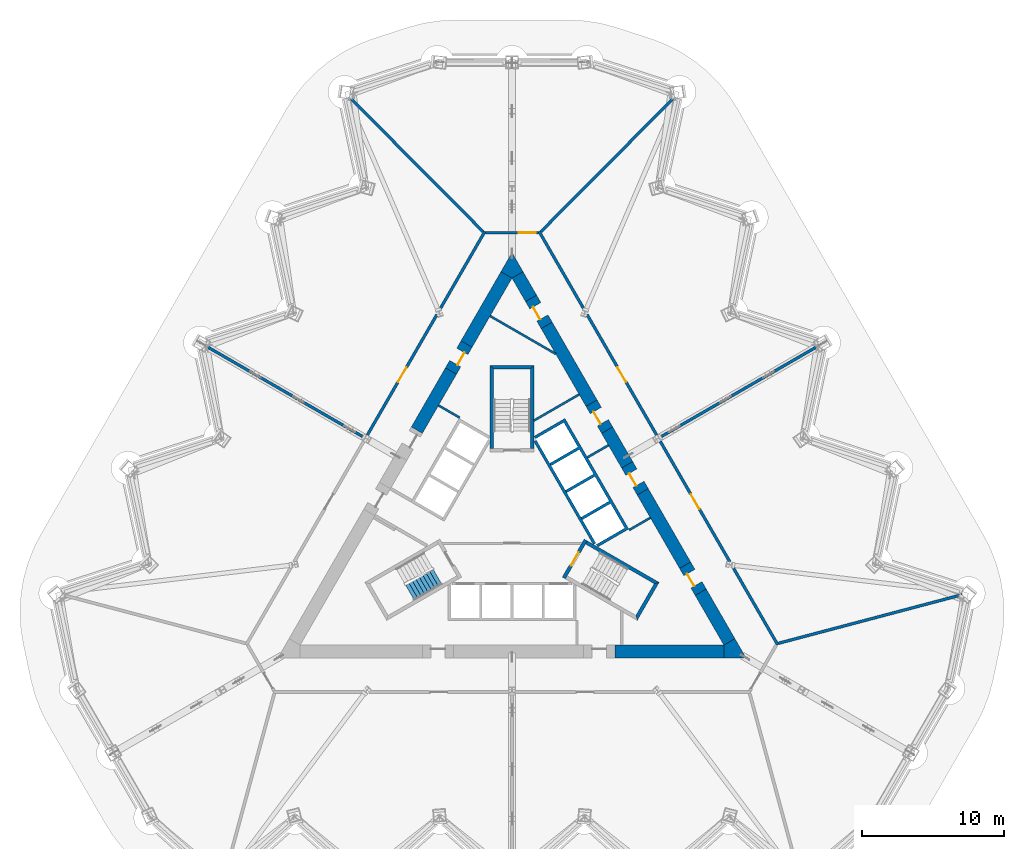
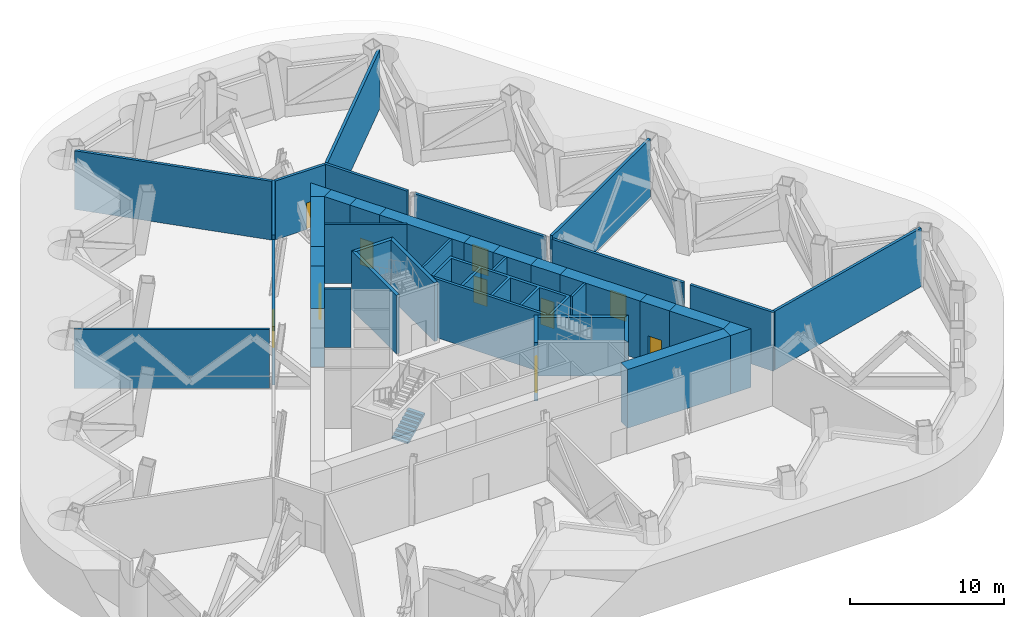
# One storey, part 6 of 13: 40 walls, 10 doors, 1 stair flight, 10 openings, 1 element without a shape of its own.
"""IFC4 building model written with IfcOpenShell, lengths in metres."""

from ifc_helpers import new_model, si_unit, direction, frame, frame_2d, origin, place, context, subcontext, project, spatial, polyline, rectangle, outline, extrude, material, layer, layer_set, type_object, element, fill, aggregate, save


model = new_model("IFC4")

# Units and contexts
model_context = context("Model", 3, precision=1e-05, world=origin(), true_north=direction((0.0, 1.0)))
body_context = subcontext(model_context, "Body", "Model", "MODEL_VIEW")
ifc_project = project(units=[si_unit("LENGTHUNIT", "METRE"), si_unit("AREAUNIT", "SQUARE_METRE"), si_unit("VOLUMEUNIT", "CUBIC_METRE"), si_unit("PLANEANGLEUNIT", "RADIAN"), si_unit("MASSUNIT", "GRAM", prefix="KILO")], contexts=[model_context])

# Site, building, storey
site_placement = place(None, origin())
site = spatial("IfcSite", under=ifc_project, at=site_placement, CompositionType="ELEMENT")
building_placement = place(site_placement, origin())
building = spatial("IfcBuilding", under=site, at=building_placement, Name="Cormorant Prow Tower", CompositionType="ELEMENT")
storey_placement = place(building_placement, frame((0.0, 0.0, 164.199951171875)))
storey = spatial("IfcBuildingStorey", under=building, at=storey_placement, Name="L34", CompositionType="ELEMENT", Elevation=164.199951171875)

# Walls
ifc_material_1 = material(Name="Gypsum board partition")
ifc_layer_1 = layer(ifc_material_1, 0.14990234375)
ifc_layer_set_1 = layer_set([ifc_layer_1], Name="Gypsum board partition")
wall_type_1 = type_object("IfcWallType", Name="Core partition 150", PredefinedType="PARTITIONING", material=ifc_layer_set_1)
for number, where, z_axis, x_axis, name in (
    (1, (-3.693359375, 7.4150390625, 0.0), (0.0, 0.0, 1.0), (-0.866024871741, 0.500000921525, 0.0), "Service room partition"),
    (2, (8.268310546875, -0.509033203125, 0.0), (0.0, 0.0, 1.0), (0.866024871741, 0.500000921525, 0.0), "Service room partition"),
    (3, (6.804443359375, 5.467041015625, 0.0), (0.0, 0.0, 1.0), (-0.865963414263, -0.500107353632, 0.0), "Service room partition"),
):
    element("IfcWall", number, at=place(storey_placement, frame(where, z_axis=z_axis, x_axis=x_axis)), inside=storey, type_object=wall_type_1, Name=name, PredefinedType="PARTITIONING", context=body_context, shape_type="SweptSolid", body=[
        extrude(rectangle(XDim=1.72021484375, YDim=0.14990234375, at=frame_2d((0.860107421875, 0.0))), origin(), (0.0, 0.0, 1.0), 4.650146484375),
    ])
wall_1_placement = place(storey_placement, frame((4.73681640625, 9.048095703125, 0.0), z_axis=(0.0, 0.0, 1.0), x_axis=(-0.866019514948, -0.500010199624, 0.0)))
element("IfcWall", 4, at=wall_1_placement, inside=storey, type_object=wall_type_1, Name="Service room partition", PredefinedType="PARTITIONING", context=body_context, shape_type="SweptSolid", body=[
    extrude(rectangle(XDim=3.69677734375, YDim=0.14990234375, at=frame_2d((1.848388671875, 0.0))), origin(), (0.0, 0.0, 1.0), 4.650146484375),
])
wall_2_placement = place(storey_placement, frame((-1.543701171875, 14.578857421875, 0.0), z_axis=(0.0, 0.0, 1.0), x_axis=(0.866040373927, -0.499974070055, 0.0)))
element("IfcWall", 5, at=wall_2_placement, inside=storey, type_object=wall_type_1, Name="Service room partition", PredefinedType="PARTITIONING", context=body_context, shape_type="SweptSolid", body=[
    extrude(rectangle(XDim=5.347412109375, YDim=0.14990234375, at=frame_2d((2.673828125, 0.0))), origin(), (0.0, 0.0, 1.0), 4.650146484375),
])
ifc_material_2 = material(Name="Concrete 8000 psi", Category="concrete")
ifc_layer_2 = layer(ifc_material_2, 0.89990234375)
ifc_layer_set_2 = layer_set([ifc_layer_2], Name="Concrete 8000 psi")
wall_type_2 = type_object("IfcWallType", Name="Core shear wall 900", PredefinedType="SHEAR", material=ifc_layer_set_2)
wall_3_placement = place(storey_placement, frame((7.256103515625, -9.076416015625, 0.0), z_axis=(0.0, 0.0, 1.0), x_axis=(1.0, 0.0, 0.0)))
element("IfcWall", 6, at=wall_3_placement, inside=storey, type_object=wall_type_2, Name="Core wall", PredefinedType="SHEAR", context=body_context, shape_type="SweptSolid", body=[
    extrude(rectangle(XDim=7.68505859375, YDim=0.89990234375, at=frame_2d((3.842529296875, 0.0))), origin(), (0.0, 0.0, 1.0), 4.650146484375),
])
wall_4_placement = place(storey_placement, frame((5.6103515625, 8.435302734375, 0.0), z_axis=(0.0, 0.0, 1.0), x_axis=(-0.500014073873, 0.866017278078, 0.0)))
element("IfcWall", 7, at=wall_4_placement, inside=storey, type_object=wall_type_2, Name="Core wall", PredefinedType="SHEAR", context=body_context, shape_type="SweptSolid", body=[
    extrude(rectangle(XDim=6.328857421875, YDim=0.89990234375, at=frame_2d((3.16455078125, 0.0))), origin(), (0.0, 0.0, 1.0), 4.650146484375),
])
wall_5_placement = place(storey_placement, frame((12.2080078125, -2.992431640625, 0.0), z_axis=(0.0, 0.0, 1.0), x_axis=(-0.499993658486, 0.866029065029, 0.0)))
element("IfcWall", 8, at=wall_5_placement, inside=storey, type_object=wall_type_2, Name="Core wall", PredefinedType="SHEAR", context=body_context, shape_type="SweptSolid", body=[
    extrude(rectangle(XDim=5.97412109375, YDim=0.89990234375, at=frame_2d((2.987060546875, 0.0))), origin(), (0.0, 0.0, 1.0), 4.650146484375),
])
wall_6_placement = place(storey_placement, frame((15.330810546875, -8.4013671875, 0.0), z_axis=(0.0, 0.0, 1.0), x_axis=(-0.499974938593, 0.866039872511, 0.0)))
element("IfcWall", 9, at=wall_6_placement, inside=storey, type_object=wall_type_2, Name="Core wall", PredefinedType="SHEAR", context=body_context, shape_type="SweptSolid", body=[
    extrude(rectangle(XDim=4.045654296875, YDim=0.89990234375, at=frame_2d((2.02294921875, 0.0))), origin(), (0.0, 0.0, 1.0), 4.650146484375),
])
wall_7_placement = place(storey_placement, frame((8.12109375, 4.086669921875, 0.0), z_axis=(0.0, 0.0, 1.0), x_axis=(-0.50009448556, 0.865970845648, 0.0)))
element("IfcWall", 10, at=wall_7_placement, inside=storey, type_object=wall_type_2, Name="Core wall", PredefinedType="SHEAR", context=body_context, shape_type="SweptSolid", body=[
    extrude(rectangle(XDim=2.8212890625, YDim=0.89990234375, at=frame_2d((1.41064453125, 0.0))), origin(), (0.0, 0.0, 1.0), 4.650146484375),
])
wall_8_placement = place(storey_placement, frame((1.345947265625, 15.821533203125, 0.0), z_axis=(0.0, 0.0, 1.0), x_axis=(-0.500079771016, 0.865979343068, 0.0)))
element("IfcWall", 11, at=wall_8_placement, inside=storey, type_object=wall_type_2, Name="Core wall", PredefinedType="SHEAR", context=body_context, shape_type="SweptSolid", body=[
    extrude(rectangle(XDim=1.912353515625, YDim=0.89990234375, at=frame_2d((0.9560546875, 0.0))), origin(), (0.0, 0.0, 1.0), 4.650146484375),
])
wall_9_placement = place(storey_placement, frame((-0.3896484375, 17.4775390625, 0.0), z_axis=(0.0, 0.0, 1.0), x_axis=(-0.500021672205, -0.86601289097, 0.0)))
element("IfcWall", 12, at=wall_9_placement, inside=storey, type_object=wall_type_2, Name="Core wall", PredefinedType="SHEAR", context=body_context, shape_type="SweptSolid", body=[
    extrude(rectangle(XDim=5.626708984375, YDim=0.89990234375, at=frame_2d((2.8134765625, 0.0))), origin(), (0.0, 0.0, 1.0), 4.650146484375),
])
wall_10_placement = place(storey_placement, frame((-4.302978515625, 10.699462890625, 0.0), z_axis=(0.0, 0.0, 1.0), x_axis=(-0.500000460299, -0.866025138031, 0.0)))
element("IfcWall", 13, at=wall_10_placement, inside=storey, type_object=wall_type_2, Name="Core wall", PredefinedType="SHEAR", context=body_context, shape_type="SweptSolid", body=[
    extrude(rectangle(XDim=4.814453125, YDim=0.89990234375, at=frame_2d((2.4072265625, 0.0))), origin(), (0.0, 0.0, 1.0), 4.650146484375),
])
wall_11_placement = place(storey_placement, origin())
element("IfcWall", 14, at=wall_11_placement, inside=storey, type_object=wall_type_2, Name="Core wall corner", PredefinedType="SHEAR", context=body_context, shape_type="SweptSolid", body=[
    extrude(outline(polyline([(-0.779296875, 17.70263671875), (0.0, 19.052490234375), (0.779296875, 17.70263671875), (0.0, 17.252685546875), (-0.779296875, 17.70263671875)])), origin(), (0.0, 0.0, 1.0), 4.650146484375),
])
wall_12_placement = place(storey_placement, origin())
element("IfcWall", 15, at=wall_12_placement, inside=storey, type_object=wall_type_2, Name="Core wall corner", PredefinedType="SHEAR", context=body_context, shape_type="SweptSolid", body=[
    extrude(outline(polyline([(14.941162109375, -8.626220703125), (15.720703125, -8.17626953125), (16.5, -9.5263671875), (14.941162109375, -9.5263671875), (14.941162109375, -8.626220703125)])), origin(), (0.0, 0.0, 1.0), 4.650146484375),
])

# Wall, opening, door
wall_13_placement = place(storey_placement, frame((13.30810546875, -4.897705078125, 0.0), z_axis=(0.0, 0.0, 1.0), x_axis=(-0.50002983664, 0.866008176907, 0.0)))
wall_13 = element("IfcWall", 16, at=wall_13_placement, inside=storey, type_object=wall_type_2, Name="Core wall door panel", PredefinedType="SHEAR", context=body_context, shape_type="SweptSolid", body=[
    extrude(rectangle(XDim=2.199951171875, YDim=0.89990234375, at=frame_2d((1.10009765625, 0.0))), origin(), (0.0, 0.0, 1.0), 4.650146484375),
])
opening_1_placement = place(wall_13_placement, frame((0.60009765625, 0.0, 0.0)))
opening_1 = element("IfcOpeningElement", 17, at=opening_1_placement, cuts=wall_13, Name="Opening L34-C10", PredefinedType="OPENING", context=body_context, shape_type="SweptSolid", body=[
    extrude(rectangle(XDim=1.0, YDim=2.10009765625, at=frame_2d((0.5, 1.050048828125))), frame((0.0, 0.4599609375, 0.0), z_axis=(0.0, -1.0, 0.0), x_axis=(1.0, 0.0, 0.0)), (0.0, 0.0, 1.0), 0.919921875),
])
ifc_material_3 = material(Name="Painted steel", Category="steel")
door_type_1 = type_object("IfcDoorType", Name="Service door 1000x2100", OperationType="NOTDEFINED", PredefinedType="DOOR", material=ifc_material_3)
door_1_placement = place(opening_1_placement, origin())
door_1 = element("IfcDoor", 18, at=door_1_placement, inside=storey, type_object=door_type_1, Name="Core door, Electrical switch room", OperationType="SINGLE_SWING_RIGHT", OverallHeight=2.10009765625, OverallWidth=1.0, PredefinedType="DOOR", context=body_context, shape_type="SweptSolid", body=[
    extrude(rectangle(XDim=1.0, YDim=2.10009765625, at=frame_2d((0.5, 1.050048828125))), frame((0.0, 0.205078125, 0.0), z_axis=(0.0, -1.0, 0.0), x_axis=(1.0, 0.0, 0.0)), (0.0, 0.0, 1.0), 0.050048828125),
])
fill(opening_1, door_1)

wall_14_placement = place(storey_placement, frame((9.220947265625, 2.181396484375, 0.0), z_axis=(0.0, 0.0, 1.0), x_axis=(-0.499946605688, 0.86605622881, 0.0)))
wall_14 = element("IfcWall", 19, at=wall_14_placement, inside=storey, type_object=wall_type_2, Name="Core wall door panel", PredefinedType="SHEAR", context=body_context, shape_type="SweptSolid", body=[
    extrude(rectangle(XDim=2.199951171875, YDim=0.89990234375, at=frame_2d((1.10009765625, 0.0))), origin(), (0.0, 0.0, 1.0), 4.650146484375),
])
opening_2_placement = place(wall_14_placement, frame((0.60009765625, 0.0, 0.0)))
opening_2 = element("IfcOpeningElement", 20, at=opening_2_placement, cuts=wall_14, Name="Opening L34-C11", PredefinedType="OPENING", context=body_context, shape_type="SweptSolid", body=[
    extrude(rectangle(XDim=1.0, YDim=2.10009765625, at=frame_2d((0.5, 1.050048828125))), frame((0.0, 0.4599609375, 0.0), z_axis=(0.0, -1.0, 0.0), x_axis=(1.0, 0.0, 0.0)), (0.0, 0.0, 1.0), 0.919921875),
])
door_2_placement = place(opening_2_placement, origin())
door_2 = element("IfcDoor", 21, at=door_2_placement, inside=storey, type_object=door_type_1, Name="Core door, Mechanical riser room", OperationType="SINGLE_SWING_RIGHT", OverallHeight=2.10009765625, OverallWidth=1.0, PredefinedType="DOOR", context=body_context, shape_type="SweptSolid", body=[
    extrude(rectangle(XDim=1.0, YDim=2.10009765625, at=frame_2d((0.5, 1.050048828125))), frame((0.0, 0.205078125, 0.0), z_axis=(0.0, -1.0, 0.0), x_axis=(1.0, 0.0, 0.0)), (0.0, 0.0, 1.0), 0.050048828125),
])
fill(opening_2, door_2)

wall_15_placement = place(storey_placement, frame((6.710205078125, 6.52978515625, 0.0), z_axis=(0.0, 0.0, 1.0), x_axis=(-0.499898558967, 0.866083962871, 0.0)))
wall_15 = element("IfcWall", 22, at=wall_15_placement, inside=storey, type_object=wall_type_2, Name="Core wall door panel", PredefinedType="SHEAR", context=body_context, shape_type="SweptSolid", body=[
    extrude(rectangle(XDim=2.2001953125, YDim=0.89990234375, at=frame_2d((1.10009765625, 0.0))), origin(), (0.0, 0.0, 1.0), 4.650146484375),
])
opening_3_placement = place(wall_15_placement, frame((0.60009765625, 0.0, 0.0)))
opening_3 = element("IfcOpeningElement", 23, at=opening_3_placement, cuts=wall_15, Name="Opening L34-C13", PredefinedType="OPENING", context=body_context, shape_type="SweptSolid", body=[
    extrude(rectangle(XDim=1.0, YDim=2.10009765625, at=frame_2d((0.5, 1.050048828125))), frame((0.0, 0.4599609375, 0.0), z_axis=(0.0, -1.0, 0.0), x_axis=(1.0, 0.0, 0.0)), (0.0, 0.0, 1.0), 0.919921875),
])
door_3_placement = place(opening_3_placement, origin())
door_3 = element("IfcDoor", 24, at=door_3_placement, inside=storey, type_object=door_type_1, Name="Core door, Plant staff store", OperationType="SINGLE_SWING_RIGHT", OverallHeight=2.10009765625, OverallWidth=1.0, PredefinedType="DOOR", context=body_context, shape_type="SweptSolid", body=[
    extrude(rectangle(XDim=1.0, YDim=2.10009765625, at=frame_2d((0.5, 1.050048828125))), frame((0.0, 0.205078125, 0.0), z_axis=(0.0, -1.0, 0.0), x_axis=(1.0, 0.0, 0.0)), (0.0, 0.0, 1.0), 0.050048828125),
])
fill(opening_3, door_3)

wall_16_placement = place(storey_placement, frame((-3.203125, 12.604736328125, 0.0), z_axis=(0.0, 0.0, 1.0), x_axis=(-0.499946605688, -0.86605622881, 0.0)))
wall_16 = element("IfcWall", 25, at=wall_16_placement, inside=storey, type_object=wall_type_2, Name="Core wall door panel", PredefinedType="SHEAR", context=body_context, shape_type="SweptSolid", body=[
    extrude(rectangle(XDim=2.199951171875, YDim=0.89990234375, at=frame_2d((1.10009765625, 0.0))), origin(), (0.0, 0.0, 1.0), 4.650146484375),
])
opening_4_placement = place(wall_16_placement, frame((0.60009765625, 0.0, 0.0)))
opening_4 = element("IfcOpeningElement", 26, at=opening_4_placement, cuts=wall_16, Name="Opening L34-C14", PredefinedType="OPENING", context=body_context, shape_type="SweptSolid", body=[
    extrude(rectangle(XDim=1.0, YDim=2.10009765625, at=frame_2d((0.5, 1.050048828125))), frame((0.0, 0.4599609375, 0.0), z_axis=(0.0, -1.0, 0.0), x_axis=(1.0, 0.0, 0.0)), (0.0, 0.0, 1.0), 0.919921875),
])
door_4_placement = place(opening_4_placement, origin())
door_4 = element("IfcDoor", 27, at=door_4_placement, inside=storey, type_object=door_type_1, Name="Core door, Electrical switch room", OperationType="SINGLE_SWING_LEFT", OverallHeight=2.10009765625, OverallWidth=1.0, PredefinedType="DOOR", context=body_context, shape_type="SweptSolid", body=[
    extrude(rectangle(XDim=1.0, YDim=2.10009765625, at=frame_2d((0.5, 1.050048828125))), frame((0.0, 0.205078125, 0.0), z_axis=(0.0, -1.0, 0.0), x_axis=(1.0, 0.0, 0.0)), (0.0, 0.0, 1.0), 0.050048828125),
])
fill(opening_4, door_4)

wall_17_placement = place(storey_placement, frame((2.44580078125, 13.916259765625, 0.0), z_axis=(0.0, 0.0, 1.0), x_axis=(-0.499946605688, 0.86605622881, 0.0)))
wall_17 = element("IfcWall", 28, at=wall_17_placement, inside=storey, type_object=wall_type_2, Name="Core wall door panel", PredefinedType="SHEAR", context=body_context, shape_type="SweptSolid", body=[
    extrude(rectangle(XDim=2.199951171875, YDim=0.89990234375, at=frame_2d((1.10009765625, 0.0))), origin(), (0.0, 0.0, 1.0), 4.650146484375),
])
opening_5_placement = place(wall_17_placement, frame((0.60009765625, 0.0, 0.0)))
opening_5 = element("IfcOpeningElement", 29, at=opening_5_placement, cuts=wall_17, Name="Opening L34-C15", PredefinedType="OPENING", context=body_context, shape_type="SweptSolid", body=[
    extrude(rectangle(XDim=1.0, YDim=2.10009765625, at=frame_2d((0.5, 1.050048828125))), frame((0.0, 0.4599609375, 0.0), z_axis=(0.0, -1.0, 0.0), x_axis=(1.0, 0.0, 0.0)), (0.0, 0.0, 1.0), 0.919921875),
])
door_5_placement = place(opening_5_placement, origin())
door_5 = element("IfcDoor", 30, at=door_5_placement, inside=storey, type_object=door_type_1, Name="Core door, Mechanical riser room", OperationType="SINGLE_SWING_LEFT", OverallHeight=2.10009765625, OverallWidth=1.0, PredefinedType="DOOR", context=body_context, shape_type="SweptSolid", body=[
    extrude(rectangle(XDim=1.0, YDim=2.10009765625, at=frame_2d((0.5, 1.050048828125))), frame((0.0, 0.205078125, 0.0), z_axis=(0.0, -1.0, 0.0), x_axis=(1.0, 0.0, 0.0)), (0.0, 0.0, 1.0), 0.050048828125),
])
fill(opening_5, door_5)

ifc_material_4 = material(Name="Gypsum board corridor wall")
ifc_layer_3 = layer(ifc_material_4, 0.199951171875)
ifc_layer_set_3 = layer_set([ifc_layer_3], Name="Gypsum board corridor wall")
wall_type_3 = type_object("IfcWallType", Name="Corridor wall 200", PredefinedType="PARTITIONING", material=ifc_layer_set_3)
wall_18_placement = place(storey_placement, frame((10.459716796875, 5.735595703125, 0.0), z_axis=(0.0, 0.0, 1.0), x_axis=(0.500004141693, -0.866023012564, 0.0)))
wall_18 = element("IfcWall", 31, at=wall_18_placement, inside=storey, type_object=wall_type_3, Name="Corridor wall", PredefinedType="PARTITIONING", context=body_context, shape_type="SweptSolid", body=[
    extrude(rectangle(XDim=9.80322265625, YDim=0.199951171875, at=frame_2d((4.901611328125, 0.0))), origin(), (0.0, 0.0, 1.0), 4.650146484375),
])
opening_6_placement = place(wall_18_placement, frame((4.3017578125, 0.0, 0.0)))
opening_6 = element("IfcOpeningElement", 32, at=opening_6_placement, cuts=wall_18, Name="Opening L34-F06", PredefinedType="OPENING", context=body_context, shape_type="SweptSolid", body=[
    extrude(rectangle(XDim=1.199951171875, YDim=2.10009765625, at=frame_2d((0.60009765625, 1.050048828125))), frame((0.0, 0.10986328125, 0.0), z_axis=(0.0, -1.0, 0.0), x_axis=(1.0, 0.0, 0.0)), (0.0, 0.0, 1.0), 0.219970703125),
])
ifc_material_5 = material(Name="Timber door leaf", Category="wood")
door_type_2 = type_object("IfcDoorType", Name="Plant room door 1200x2100", OperationType="NOTDEFINED", PredefinedType="DOOR", material=ifc_material_5)
door_6_placement = place(opening_6_placement, origin())
door_6 = element("IfcDoor", 33, at=door_6_placement, inside=storey, type_object=door_type_2, Name="Electrical switch room door", OperationType="SINGLE_SWING_LEFT", OverallHeight=2.10009765625, OverallWidth=1.199951171875, PredefinedType="DOOR", context=body_context, shape_type="SweptSolid", body=[
    extrude(rectangle(XDim=1.199951171875, YDim=2.10009765625, at=frame_2d((0.60009765625, 1.050048828125))), frame((0.0, 0.02490234375, 0.0), z_axis=(0.0, -1.0, 0.0), x_axis=(1.0, 0.0, 0.0)), (0.0, 0.0, 1.0), 0.050048828125),
])
fill(opening_6, door_6)

wall_19_placement = place(storey_placement, frame((-10.197265625, 6.1904296875, 0.0), z_axis=(0.0, 0.0, 1.0), x_axis=(0.500012035596, 0.866018454918, 0.0)))
wall_19 = element("IfcWall", 34, at=wall_19_placement, inside=storey, type_object=wall_type_3, Name="Corridor wall", PredefinedType="PARTITIONING", context=body_context, shape_type="SweptSolid", body=[
    extrude(rectangle(XDim=9.803466796875, YDim=0.199951171875, at=frame_2d((4.90185546875, 0.0))), origin(), (0.0, 0.0, 1.0), 4.650146484375),
])
opening_7_placement = place(wall_19_placement, frame((4.3017578125, 0.0, 0.0)))
opening_7 = element("IfcOpeningElement", 35, at=opening_7_placement, cuts=wall_19, Name="Opening L34-F07", PredefinedType="OPENING", context=body_context, shape_type="SweptSolid", body=[
    extrude(rectangle(XDim=1.199951171875, YDim=2.10009765625, at=frame_2d((0.60009765625, 1.050048828125))), frame((0.0, 0.10986328125, 0.0), z_axis=(0.0, -1.0, 0.0), x_axis=(1.0, 0.0, 0.0)), (0.0, 0.0, 1.0), 0.219970703125),
])
door_7_placement = place(opening_7_placement, origin())
door_7 = element("IfcDoor", 36, at=door_7_placement, inside=storey, type_object=door_type_2, Name="Telecoms and server room door", OperationType="SINGLE_SWING_LEFT", OverallHeight=2.10009765625, OverallWidth=1.199951171875, PredefinedType="DOOR", context=body_context, shape_type="SweptSolid", body=[
    extrude(rectangle(XDim=1.199951171875, YDim=2.10009765625, at=frame_2d((0.60009765625, 1.050048828125))), frame((0.0, 0.02490234375, 0.0), z_axis=(0.0, -1.0, 0.0), x_axis=(1.0, 0.0, 0.0)), (0.0, 0.0, 1.0), 0.050048828125),
])
fill(opening_7, door_7)

wall_20_placement = place(storey_placement, frame((5.29541015625, 14.680419921875, 0.0), z_axis=(0.0, 0.0, 1.0), x_axis=(0.500012035596, -0.866018454918, 0.0)))
wall_20 = element("IfcWall", 37, at=wall_20_placement, inside=storey, type_object=wall_type_3, Name="Corridor wall", PredefinedType="PARTITIONING", context=body_context, shape_type="SweptSolid", body=[
    extrude(rectangle(XDim=9.803466796875, YDim=0.199951171875, at=frame_2d((4.90185546875, 0.0))), origin(), (0.0, 0.0, 1.0), 4.650146484375),
])
opening_8_placement = place(wall_20_placement, frame((4.3017578125, 0.0, 0.0)))
opening_8 = element("IfcOpeningElement", 38, at=opening_8_placement, cuts=wall_20, Name="Opening L34-F08", PredefinedType="OPENING", context=body_context, shape_type="SweptSolid", body=[
    extrude(rectangle(XDim=1.199951171875, YDim=2.10009765625, at=frame_2d((0.60009765625, 1.050048828125))), frame((0.0, 0.10986328125, 0.0), z_axis=(0.0, -1.0, 0.0), x_axis=(1.0, 0.0, 0.0)), (0.0, 0.0, 1.0), 0.219970703125),
])
door_8_placement = place(opening_8_placement, origin())
door_8 = element("IfcDoor", 39, at=door_8_placement, inside=storey, type_object=door_type_2, Name="Boiler plant room door", OperationType="SINGLE_SWING_RIGHT", OverallHeight=2.10009765625, OverallWidth=1.199951171875, PredefinedType="DOOR", context=body_context, shape_type="SweptSolid", body=[
    extrude(rectangle(XDim=1.199951171875, YDim=2.10009765625, at=frame_2d((0.60009765625, 1.050048828125))), frame((0.0, 0.02490234375, 0.0), z_axis=(0.0, -1.0, 0.0), x_axis=(1.0, 0.0, 0.0)), (0.0, 0.0, 1.0), 0.050048828125),
])
fill(opening_8, door_8)

# Walls
for number, where, z_axis, x_axis, name in (
    (40, (-5.032958984375, 15.13525390625, 0.0), (0.0, 0.0, 1.0), (0.499980978912, 0.866036385336, 0.0), "Corridor wall"),
    (41, (1.9130859375, 20.539306640625, 0.0), (0.0, 0.0, 1.0), (0.499980978912, -0.866036385336, 0.0), "Corridor wall"),
):
    element("IfcWall", number, at=place(storey_placement, frame(where, z_axis=z_axis, x_axis=x_axis)), inside=storey, type_object=wall_type_3, Name=name, PredefinedType="PARTITIONING", context=body_context, shape_type="SweptSolid", body=[
        extrude(rectangle(XDim=6.239990234375, YDim=0.199951171875, at=frame_2d((3.1201171875, 0.0))), origin(), (0.0, 0.0, 1.0), 4.650146484375),
    ])
wall_21_placement = place(storey_placement, frame((15.6240234375, -3.208984375, 0.0), z_axis=(0.0, 0.0, 1.0), x_axis=(0.499997920671, -0.866026604282, 0.0)))
element("IfcWall", 42, at=wall_21_placement, inside=storey, type_object=wall_type_3, Name="Corridor wall", PredefinedType="PARTITIONING", context=body_context, shape_type="SweptSolid", body=[
    extrude(rectangle(XDim=6.23974609375, YDim=0.199951171875, at=frame_2d((3.119873046875, 0.0))), origin(), (0.0, 0.0, 1.0), 4.650146484375),
])

# Wall, opening, door
wall_22_placement = place(storey_placement, frame((-1.863037109375, 20.45263671875, 0.0), z_axis=(0.0, 0.0, 1.0), x_axis=(1.0, 0.0, 0.0)))
wall_22 = element("IfcWall", 43, at=wall_22_placement, inside=storey, type_object=wall_type_3, Name="Corridor wall", PredefinedType="PARTITIONING", context=body_context, shape_type="SweptSolid", body=[
    extrude(rectangle(XDim=3.72607421875, YDim=0.199951171875, at=frame_2d((1.863037109375, 0.0))), origin(), (0.0, 0.0, 1.0), 4.650146484375),
])
opening_9_placement = place(wall_22_placement, frame((2.324951171875, 0.0, 0.0)))
opening_9 = element("IfcOpeningElement", 44, at=opening_9_placement, cuts=wall_22, Name="Opening L34-F09", PredefinedType="OPENING", context=body_context, shape_type="SweptSolid", body=[
    extrude(rectangle(XDim=1.199951171875, YDim=2.10009765625, at=frame_2d((0.60009765625, 1.050048828125))), frame((0.0, 0.10986328125, 0.0), z_axis=(0.0, -1.0, 0.0), x_axis=(1.0, 0.0, 0.0)), (0.0, 0.0, 1.0), 0.219970703125),
])
door_9_placement = place(opening_9_placement, origin())
door_9 = element("IfcDoor", 45, at=door_9_placement, inside=storey, type_object=door_type_2, Name="Generator room door", OperationType="SINGLE_SWING_RIGHT", OverallHeight=2.10009765625, OverallWidth=1.199951171875, PredefinedType="DOOR", context=body_context, shape_type="SweptSolid", body=[
    extrude(rectangle(XDim=1.199951171875, YDim=2.10009765625, at=frame_2d((0.60009765625, 1.050048828125))), frame((0.0, 0.02490234375, 0.0), z_axis=(0.0, -1.0, 0.0), x_axis=(1.0, 0.0, 0.0)), (0.0, 0.0, 1.0), 0.050048828125),
])
fill(opening_9, door_9)

# Walls
ifc_material_6 = material(Name="Gypsum board demising wall")
ifc_layer_4 = layer(ifc_material_6, 0.199951171875)
ifc_layer_set_4 = layer_set([ifc_layer_4], Name="Gypsum board demising wall")
wall_type_4 = type_object("IfcWallType", Name="Demising wall 200", PredefinedType="PARTITIONING", material=ifc_layer_set_4)
wall_23_placement = place(storey_placement, frame((18.79052734375, -8.500732421875, 0.0), z_axis=(0.0, 0.0, 1.0), x_axis=(0.966727906646, 0.255806869555, 0.0)))
element("IfcWall", 46, at=wall_23_placement, inside=storey, type_object=wall_type_4, Name="Demising wall", PredefinedType="PARTITIONING", context=body_context, shape_type="SweptSolid", body=[
    extrude(rectangle(XDim=13.39111328125, YDim=0.199951171875, at=frame_2d((6.695556640625, 0.0))), origin(), (0.0, 0.0, 1.0), 4.650146484375),
])
for number, where, z_axis, x_axis, name in (
    (47, (2.033447265625, 20.5234375, 0.0), (0.0, 0.0, 1.0), (0.704897825138, 0.709308858055, 0.0), "Demising wall"),
    (48, (-11.35791015625, 29.90625, 0.0), (0.0, 0.0, 1.0), (0.704897825138, -0.709308858055, 0.0), "Demising wall"),
):
    element("IfcWall", number, at=place(storey_placement, frame(where, z_axis=z_axis, x_axis=x_axis)), inside=storey, type_object=wall_type_4, Name=name, PredefinedType="PARTITIONING", context=body_context, shape_type="SweptSolid", body=[
        extrude(rectangle(XDim=13.22802734375, YDim=0.199951171875, at=frame_2d((6.614013671875, 0.0))), origin(), (0.0, 0.0, 1.0), 4.650146484375),
    ])
for number, where, z_axis, x_axis, name in (
    (49, (-21.536376953125, 12.43408203125, 0.0), (0.0, 0.0, 1.0), (0.86602461759, -0.500001361726, 0.0), "Demising wall"),
    (50, (10.555908203125, 6.094482421875, 0.0), (0.0, 0.0, 1.0), (0.86602461759, 0.500001361726, 0.0), "Demising wall"),
):
    element("IfcWall", number, at=place(storey_placement, frame(where, z_axis=z_axis, x_axis=x_axis)), inside=storey, type_object=wall_type_4, Name=name, PredefinedType="PARTITIONING", context=body_context, shape_type="SweptSolid", body=[
        extrude(rectangle(XDim=12.67919921875, YDim=0.199951171875, at=frame_2d((6.339599609375, 0.0))), origin(), (0.0, 0.0, 1.0), 4.650146484375),
    ])
ifc_material_7 = material(Name="Concrete 5000 psi", Category="concrete")
ifc_layer_5 = layer(ifc_material_7, 0.199951171875)
ifc_layer_set_5 = layer_set([ifc_layer_5], Name="Concrete 5000 psi")
wall_type_5 = type_object("IfcWallType", Name="Lift lobby wall 200", PredefinedType="SOLIDWALL", material=ifc_layer_set_5)
wall_24_placement = place(storey_placement, frame((5.817138671875, -1.4755859375, 0.0), z_axis=(0.0, 0.0, 1.0), x_axis=(-0.500002616675, 0.866023893041, 0.0)))
element("IfcWall", 51, at=wall_24_placement, inside=storey, type_object=wall_type_5, Name="Lift lobby wall, ENE block", PredefinedType="SOLIDWALL", context=body_context, shape_type="SweptSolid", body=[
    extrude(rectangle(XDim=8.373046875, YDim=0.199951171875, at=frame_2d((4.1865234375, 0.0))), origin(), (0.0, 0.0, 1.0), 4.650146484375),
])
ifc_material_8 = material(Name="Concrete 8000 psi", Category="concrete")
ifc_layer_6 = layer(ifc_material_8, 0.199951171875)
ifc_layer_set_6 = layer_set([ifc_layer_6], Name="Concrete 8000 psi")
wall_type_6 = type_object("IfcWallType", Name="Lift shaft wall 200", PredefinedType="SHEAR", material=ifc_layer_set_6)
wall_25_placement = place(storey_placement, origin())
element("IfcWall", 52, at=wall_25_placement, inside=storey, type_object=wall_type_6, Name="Lift shaft walls, ENE block", PredefinedType="SHEAR", context=body_context, shape_type="SweptSolid", body=[
    extrude(outline(polyline([(1.560546875, 6.09716796875), (3.730712890625, 7.35009765625), (8.230712890625, -0.444091796875), (6.060546875, -1.697021484375), (5.96044921875, -1.52392578125), (7.952392578125, -0.373779296875), (6.952392578125, 1.358154296875), (4.96044921875, 0.2080078125), (4.860595703125, 0.38134765625), (6.852294921875, 1.53125), (5.852294921875, 3.263427734375), (3.860595703125, 2.11328125), (3.760498046875, 2.28662109375), (5.75244140625, 3.4365234375), (4.75244140625, 5.168701171875), (2.760498046875, 4.018798828125), (2.660400390625, 4.19189453125), (4.65234375, 5.341796875), (3.65234375, 7.073974609375), (1.660400390625, 5.923828125), (1.560546875, 6.09716796875)])), origin(), (0.0, 0.0, 1.0), 4.650146484375),
])
ifc_material_9 = material(Name="Concrete 8000 psi", Category="concrete")
ifc_layer_7 = layer(ifc_material_9, 0.25)
ifc_layer_set_7 = layer_set([ifc_layer_7], Name="Concrete 8000 psi")
wall_type_7 = type_object("IfcWallType", Name="Stair wall 250", PredefinedType="SHEAR", material=ifc_layer_set_7)
wall_26_placement = place(storey_placement, origin())
element("IfcWall", 53, at=wall_26_placement, inside=storey, type_object=wall_type_7, Name="Stair ST2 enclosure wall (end)", PredefinedType="SHEAR", context=body_context, shape_type="SweptSolid", body=[
    extrude(outline(polyline([(8.82958984375, -6.880615234375), (10.37353515625, -4.206298828125), (10.031982421875, -4.2978515625), (8.738037109375, -6.5390625), (8.82958984375, -6.880615234375)])), origin(), (0.0, 0.0, 1.0), 4.650146484375),
])
wall_27_placement = place(storey_placement, origin())
element("IfcWall", 54, at=wall_27_placement, inside=storey, type_object=wall_type_7, Name="Stair ST2 enclosure wall (flank)", PredefinedType="SHEAR", context=body_context, shape_type="SweptSolid", body=[
    extrude(outline(polyline([(10.031982421875, -4.2978515625), (10.37353515625, -4.206298828125), (5.30712890625, -1.28125), (5.18212890625, -1.497802734375), (10.031982421875, -4.2978515625)])), origin(), (0.0, 0.0, 1.0), 4.650146484375),
])

# Wall, opening, door
wall_28_placement = place(storey_placement, frame((3.655029296875, -3.89306640625, 0.0), z_axis=(0.0, 0.0, 1.0), x_axis=(0.499982516597, 0.866035497597, 0.0)))
wall_28 = element("IfcWall", 55, at=wall_28_placement, inside=storey, type_object=wall_type_7, Name="Stair ST2 door wall", PredefinedType="SHEAR", context=body_context, shape_type="SweptSolid", body=[
    extrude(rectangle(XDim=3.087890625, YDim=0.25, at=frame_2d((1.5439453125, 0.0))), origin(), (0.0, 0.0, 1.0), 4.650146484375),
])
opening_10_placement = place(wall_28_placement, frame((0.993896484375, 0.0, 0.0)))
opening_10 = element("IfcOpeningElement", 56, at=opening_10_placement, cuts=wall_28, Name="Opening L34-C06", PredefinedType="OPENING", context=body_context, shape_type="SweptSolid", body=[
    extrude(rectangle(XDim=1.10009765625, YDim=2.10009765625, at=frame_2d((0.550048828125, 1.050048828125))), frame((0.0, 0.135009765625, 0.0), z_axis=(0.0, -1.0, 0.0), x_axis=(1.0, 0.0, 0.0)), (0.0, 0.0, 1.0), 0.27001953125),
])
ifc_material_10 = material(Name="Painted steel", Category="steel")
door_type_3 = type_object("IfcDoorType", Name="Stair door 1100x2100", OperationType="NOTDEFINED", PredefinedType="DOOR", material=ifc_material_10)
door_10_placement = place(opening_10_placement, origin())
door_10 = element("IfcDoor", 57, at=door_10_placement, inside=storey, type_object=door_type_3, Name="Stair ST2 door", OperationType="SINGLE_SWING_RIGHT", OverallHeight=2.10009765625, OverallWidth=1.10009765625, PredefinedType="DOOR", context=body_context, shape_type="SweptSolid", body=[
    extrude(rectangle(XDim=1.10009765625, YDim=2.10009765625, at=frame_2d((0.550048828125, 1.050048828125))), frame((0.0, 0.02490234375, 0.0), z_axis=(0.0, -1.0, 0.0), x_axis=(1.0, 0.0, 0.0)), (0.0, 0.0, 1.0), 0.050048828125),
])
fill(opening_10, door_10)

# Walls
wall_29_placement = place(storey_placement, origin())
element("IfcWall", 58, at=wall_29_placement, inside=storey, type_object=wall_type_7, Name="Stair ST3 enclosure wall (flank)", PredefinedType="SHEAR", context=body_context, shape_type="SweptSolid", body=[
    extrude(outline(polyline([(1.5439453125, 5.23681640625), (1.5439453125, 11.0869140625), (1.2939453125, 10.8369140625), (1.2939453125, 5.23681640625), (1.5439453125, 5.23681640625)])), origin(), (0.0, 0.0, 1.0), 4.650146484375),
])
wall_30_placement = place(storey_placement, origin())
element("IfcWall", 59, at=wall_30_placement, inside=storey, type_object=wall_type_7, Name="Stair ST3 enclosure wall (end)", PredefinedType="SHEAR", context=body_context, shape_type="SweptSolid", body=[
    extrude(outline(polyline([(1.5439453125, 11.0869140625), (-1.5439453125, 11.0869140625), (-1.2939453125, 10.8369140625), (1.2939453125, 10.8369140625), (1.5439453125, 11.0869140625)])), origin(), (0.0, 0.0, 1.0), 4.650146484375),
])
wall_31_placement = place(storey_placement, origin())
element("IfcWall", 60, at=wall_31_placement, inside=storey, type_object=wall_type_7, Name="Stair ST3 enclosure wall (flank)", PredefinedType="SHEAR", context=body_context, shape_type="SweptSolid", body=[
    extrude(outline(polyline([(-1.2939453125, 10.8369140625), (-1.5439453125, 11.0869140625), (-1.5439453125, 5.23681640625), (-1.2939453125, 5.23681640625), (-1.2939453125, 10.8369140625)])), origin(), (0.0, 0.0, 1.0), 4.650146484375),
])

# Stair, stair flight
ifc_material_11 = material(Name="Exit stair 36 risers")
stair_type = type_object("IfcStairType", Name="Exit stair 36 risers", PredefinedType="HALF_TURN_STAIR", material=ifc_material_11)
stair_placement = place(storey_placement, origin())
stair = element("IfcStair", 61, at=stair_placement, inside=storey, type_object=stair_type, Name="L34 Exit stair ST1", PredefinedType="HALF_TURN_STAIR")
ifc_material_12 = material(Name="Concrete 5000 psi", Category="concrete")
stair_flight_type = type_object("IfcStairFlightType", Name="Stair flight 1219", PredefinedType="STRAIGHT", material=ifc_material_12)
stair_flight_placement = place(storey_placement, frame((-7.1884765625, -4.940673828125, 1.25), z_axis=(0.0, 0.0, 1.0), x_axis=(0.866025403784, 0.5, 0.0)))
stair_flight = element("IfcStairFlight", 62, at=stair_flight_placement, type_object=stair_flight_type, Name="ST1 flight 2", NumberOfRisers=9, NumberOfTreads=8, PredefinedType="STRAIGHT", RiserHeight=0.138888889, TreadLength=0.28, context=body_context, shape_type="SweptSolid", body=[
    extrude(outline(polyline([(0.0, 0.0), (0.0, 0.138916015625), (0.280029296875, 0.138916015625), (0.280029296875, 0.27783203125), (0.56005859375, 0.27783203125), (0.56005859375, 0.416748046875), (0.840087890625, 0.416748046875), (0.840087890625, 0.5556640625), (1.1201171875, 0.5556640625), (1.1201171875, 0.6943359375), (1.39990234375, 0.6943359375), (1.39990234375, 0.833251953125), (1.679931640625, 0.833251953125), (1.679931640625, 0.97216796875), (1.9599609375, 0.97216796875), (1.9599609375, 1.111083984375), (2.239990234375, 1.111083984375), (2.239990234375, 1.25), (2.239990234375, 0.94384765625), (0.33740234375, 0.0), (0.0, 0.0)])), frame((0.0, 0.609375, 0.0), z_axis=(0.0, -1.0, 0.0), x_axis=(1.0, 0.0, 0.0)), (0.0, 0.0, 1.0), 1.218994140625),
])
aggregate(stair, [stair_flight])

save(model, "model.ifc")
